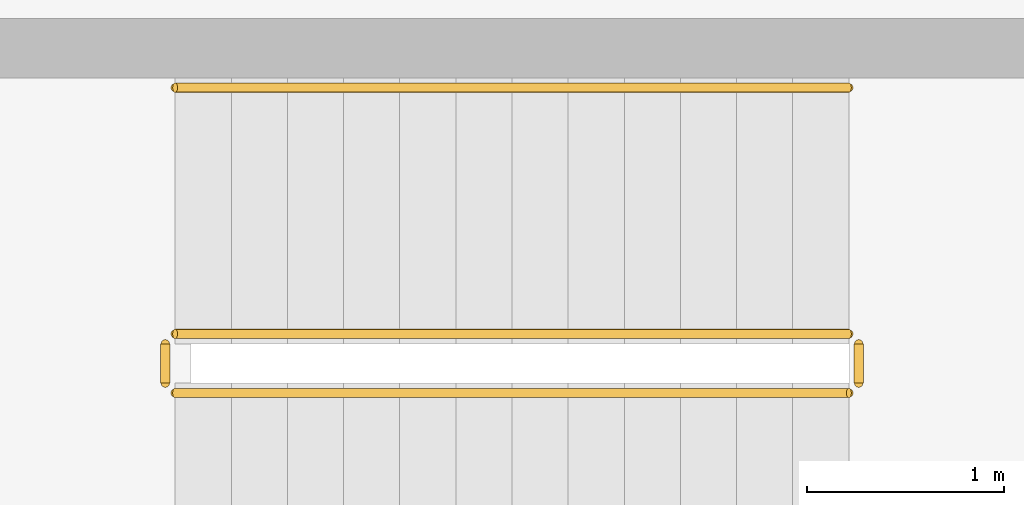
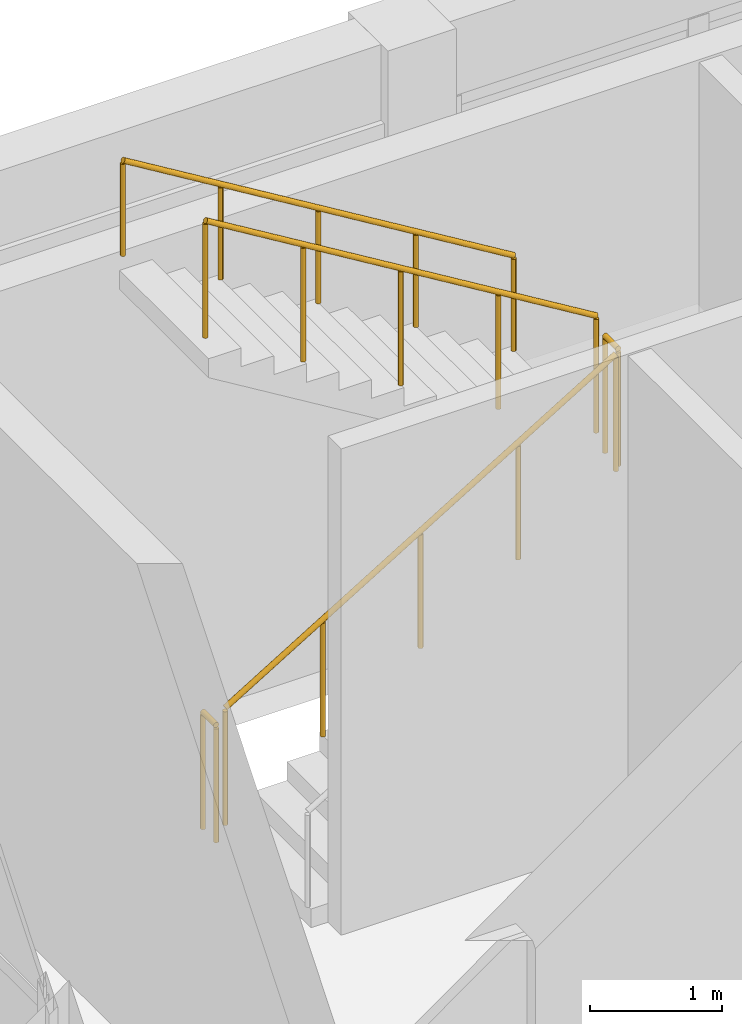
# One storey, part 151 of 153: 5 railings.
"""IFC4 building model written with IfcOpenShell, lengths in metres."""

from ifc_helpers import new_model, si_unit, direction, frame, origin, origin_2d, place, context, subcontext, project, spatial, circle, extrude, material, type_object, element, save


model = new_model("IFC4")

# Units and contexts
model_context = context("Model", 3, precision=1e-05, world=origin(), true_north=direction((0.0, 1.0)))
body_context = subcontext(model_context, "Body", "Model", "MODEL_VIEW")
ifc_project = project(units=[si_unit("LENGTHUNIT", "METRE"), si_unit("AREAUNIT", "SQUARE_METRE"), si_unit("VOLUMEUNIT", "CUBIC_METRE"), si_unit("PLANEANGLEUNIT", "RADIAN"), si_unit("MASSUNIT", "GRAM", prefix="KILO")], contexts=[model_context])

# Site, building, storey
site_placement = place(None, origin())
site = spatial("IfcSite", under=ifc_project, at=site_placement, CompositionType="ELEMENT")
building_placement = place(site_placement, origin())
building = spatial("IfcBuilding", under=site, at=building_placement, Name="Bramvelor Terrace Health Centre", CompositionType="ELEMENT")
storey_placement = place(building_placement, frame((0.0, 0.0, 4.800048828125)))
storey = spatial("IfcBuildingStorey", under=building, at=storey_placement, Name="L02", CompositionType="ELEMENT", Elevation=4.800048828125)

# Railings
ifc_material_1 = material(Name="Painted galvanized steel", Category="steel")
railing_type_1 = type_object("IfcRailingType", Name="RLG-GD-1100", PredefinedType="GUARDRAIL", material=ifc_material_1)
railing_1_placement = place(storey_placement, frame((3.60009765625, 111.64990234375, 0.173095703125)))
element("IfcRailing", 1, at=railing_1_placement, inside=storey, type_object=railing_type_1, Name="L02 ST-1 stair guard 1", PredefinedType="GUARDRAIL", context=body_context, shape_type="SweptSolid", body=[
    extrude(circle(Radius=0.02392578125, at=origin_2d()), frame((0.0, 0.0, 1.076171875), z_axis=(0.854729506542, 0.0, 0.519073665916), x_axis=(0.0, 1.0, 0.0)), (0.0, 0.0, 1.0), 4.001220703125),
    extrude(circle(Radius=0.02099609375, at=origin_2d()), origin(), (0.0, 0.0, 1.0), 1.052001953125),
    extrude(circle(Radius=0.02099609375, at=origin_2d()), frame((0.85498046875, 0.0, 0.519287109375)), (0.0, 0.0, 1.0), 1.052001953125),
    extrude(circle(Radius=0.02099609375, at=origin_2d()), frame((1.7099609375, 0.0, 1.03857421875)), (0.0, 0.0, 1.0), 1.052001953125),
    extrude(circle(Radius=0.02099609375, at=origin_2d()), frame((2.56494140625, 0.0, 1.5576171875)), (0.0, 0.0, 1.0), 1.052001953125),
    extrude(circle(Radius=0.02099609375, at=origin_2d()), frame((3.419921875, 0.0, 2.076904296875)), (0.0, 0.0, 1.0), 1.052001953125),
])
railing_2_placement = place(storey_placement, frame((7.070068359375, 111.699951171875, 2.25)))
element("IfcRailing", 2, at=railing_2_placement, inside=storey, type_object=railing_type_1, Name="L02 ST-1 stair guard 2", PredefinedType="GUARDRAIL", context=body_context, shape_type="SweptSolid", body=[
    extrude(circle(Radius=0.02392578125, at=origin_2d()), frame((0.0, 0.0, 1.076171875), z_axis=(0.0, 1.0, 0.0), x_axis=(-1.0, 0.0, 0.0)), (0.0, 0.0, 1.0), 0.199951171875),
    extrude(circle(Radius=0.02099609375, at=origin_2d()), origin(), (0.0, 0.0, 1.0), 1.052001953125),
    extrude(circle(Radius=0.02099609375, at=origin_2d()), frame((0.0, 0.199951171875, 0.0)), (0.0, 0.0, 1.0), 1.052001953125),
])
railing_3_placement = place(storey_placement, frame((7.02001953125, 111.949951171875, 2.423095703125)))
element("IfcRailing", 3, at=railing_3_placement, inside=storey, type_object=railing_type_1, Name="L02 ST-1 stair guard 3", PredefinedType="GUARDRAIL", context=body_context, shape_type="SweptSolid", body=[
    extrude(circle(Radius=0.02392578125, at=origin_2d()), frame((0.0, 0.0, 1.076171875), z_axis=(-0.854729506542, 0.0, 0.519073665916), x_axis=(0.0, -1.0, 0.0)), (0.0, 0.0, 1.0), 4.001220703125),
    extrude(circle(Radius=0.02099609375, at=origin_2d()), origin(), (0.0, 0.0, 1.0), 1.052001953125),
    extrude(circle(Radius=0.02099609375, at=origin_2d()), frame((-0.85498046875, 0.0, 0.519287109375)), (0.0, 0.0, 1.0), 1.052001953125),
    extrude(circle(Radius=0.02099609375, at=origin_2d()), frame((-1.7099609375, 0.0, 1.03857421875)), (0.0, 0.0, 1.0), 1.052001953125),
    extrude(circle(Radius=0.02099609375, at=origin_2d()), frame((-2.56494140625, 0.0, 1.5576171875)), (0.0, 0.0, 1.0), 1.052001953125),
    extrude(circle(Radius=0.02099609375, at=origin_2d()), frame((-3.419921875, 0.0, 2.076904296875)), (0.0, 0.0, 1.0), 1.052001953125),
])
railing_4_placement = place(storey_placement, frame((3.550048828125, 111.699951171875, 0.0)))
element("IfcRailing", 4, at=railing_4_placement, inside=storey, type_object=railing_type_1, Name="L02 ST-1 stair guard 4", PredefinedType="GUARDRAIL", context=body_context, shape_type="SweptSolid", body=[
    extrude(circle(Radius=0.02392578125, at=origin_2d()), frame((0.0, 0.0, 1.076171875), z_axis=(0.0, 1.0, 0.0), x_axis=(-1.0, 0.0, 0.0)), (0.0, 0.0, 1.0), 0.199951171875),
    extrude(circle(Radius=0.02099609375, at=origin_2d()), origin(), (0.0, 0.0, 1.0), 1.052001953125),
    extrude(circle(Radius=0.02099609375, at=origin_2d()), frame((0.0, 0.199951171875, 0.0)), (0.0, 0.0, 1.0), 1.052001953125),
])
ifc_material_2 = material(Name="Brushed stainless steel 316", Category="steel")
railing_type_2 = type_object("IfcRailingType", Name="RLG-HR-900", PredefinedType="HANDRAIL", material=ifc_material_2)
railing_5_placement = place(storey_placement, frame((7.02001953125, 113.199951171875, 2.423095703125)))
element("IfcRailing", 5, at=railing_5_placement, inside=storey, type_object=railing_type_2, Name="L02 ST-1 stair handrail 2", PredefinedType="HANDRAIL", context=body_context, shape_type="SweptSolid", body=[
    extrude(circle(Radius=0.02392578125, at=origin_2d()), frame((0.0, 0.0, 0.8759765625), z_axis=(-0.854729506542, 0.0, 0.519073665916), x_axis=(0.0, -1.0, 0.0)), (0.0, 0.0, 1.0), 4.001220703125),
    extrude(circle(Radius=0.02099609375, at=origin_2d()), origin(), (0.0, 0.0, 1.0), 0.851806640625),
    extrude(circle(Radius=0.02099609375, at=origin_2d()), frame((-0.85498046875, 0.0, 0.519287109375)), (0.0, 0.0, 1.0), 0.851806640625),
    extrude(circle(Radius=0.02099609375, at=origin_2d()), frame((-1.7099609375, 0.0, 1.03857421875)), (0.0, 0.0, 1.0), 0.851806640625),
    extrude(circle(Radius=0.02099609375, at=origin_2d()), frame((-2.56494140625, 0.0, 1.5576171875)), (0.0, 0.0, 1.0), 0.851806640625),
    extrude(circle(Radius=0.02099609375, at=origin_2d()), frame((-3.419921875, 0.0, 2.076904296875)), (0.0, 0.0, 1.0), 0.851806640625),
])

save(model, "model.ifc")
